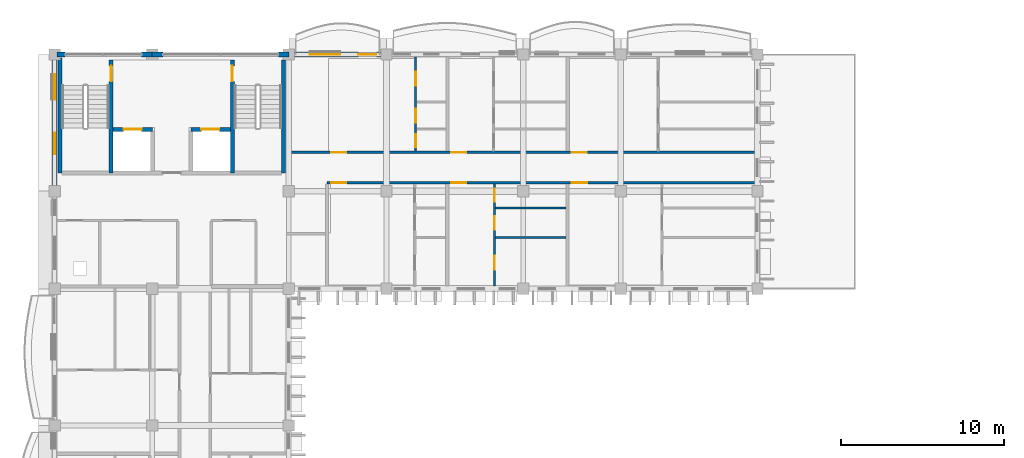
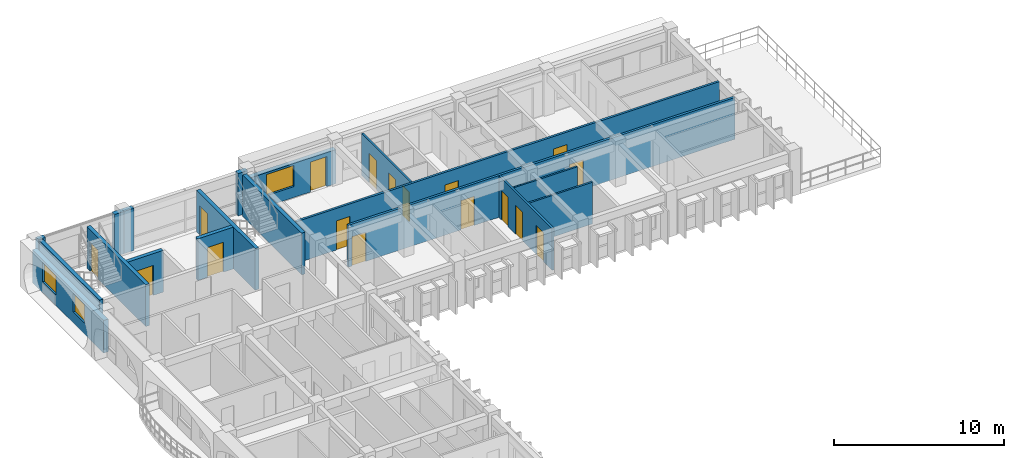
# One storey, part 22 of 66: 18 walls, 17 doors, 3 windows, 20 openings.
"""IFC4 building model written with IfcOpenShell, lengths in metres."""

from ifc_helpers import new_model, si_unit, direction, frame, frame_2d, origin, place, context, subcontext, project, spatial, rectangle, extrude, material, layer, layer_set, type_object, element, fill, save


model = new_model("IFC4")

# Units and contexts
model_context = context("Model", 3, precision=1e-05, world=origin(), true_north=direction((0.0, 1.0)))
body_context = subcontext(model_context, "Body", "Model", "MODEL_VIEW")
ifc_project = project(units=[si_unit("LENGTHUNIT", "METRE"), si_unit("AREAUNIT", "SQUARE_METRE"), si_unit("VOLUMEUNIT", "CUBIC_METRE"), si_unit("PLANEANGLEUNIT", "RADIAN"), si_unit("MASSUNIT", "GRAM", prefix="KILO"), si_unit("THERMODYNAMICTEMPERATUREUNIT", "KELVIN")], contexts=[model_context])

# Site, building, storey
site_placement = place(None, origin())
site = spatial("IfcSite", under=ifc_project, at=site_placement, CompositionType="ELEMENT")
building_placement = place(site_placement, origin())
building = spatial("IfcBuilding", under=site, at=building_placement, Name="Thalorik Housing Commons", CompositionType="ELEMENT")
storey_placement = place(building_placement, frame((0.0, 0.0, 21.300048828125)))
storey = spatial("IfcBuildingStorey", under=building, at=storey_placement, Name="L06", CompositionType="ELEMENT", Elevation=21.300048828125)

# Wall, opening, door
ifc_material_1 = material(Name="Concrete C40/50", Category="concrete")
ifc_layer_1 = layer(ifc_material_1, 0.25, Name="Concrete C40/50", Category="concrete")
ifc_layer_set_1 = layer_set([ifc_layer_1], Name="Concrete C40/50")
wall_type_1 = type_object("IfcWallType", Name="ARC-WAL-CORE-250", PredefinedType="SHEAR", material=ifc_layer_set_1)
wall_1_placement = place(storey_placement, frame((11.875, 123.25, 0.0), z_axis=(0.0, 0.0, 1.0), x_axis=(0.0, -1.0, 0.0)))
wall_1 = element("IfcWall", 1, at=wall_1_placement, inside=storey, type_object=wall_type_1, Name="L06 Core A Stair 1 Shear Wall", PredefinedType="SHEAR", context=body_context, shape_type="SweptSolid", body=[
    extrude(rectangle(XDim=6.925048828125, YDim=0.25, at=frame_2d((3.46240234375, 0.0))), origin(), (0.0, 0.0, 1.0), 3.0),
])
opening_1_placement = place(wall_1_placement, frame((0.35009765625, 0.0, 0.0)))
opening_1 = element("IfcOpeningElement", 2, at=opening_1_placement, cuts=wall_1, Name="Opening ID-0057", PredefinedType="OPENING", context=body_context, shape_type="SweptSolid", body=[
    extrude(rectangle(XDim=0.949951171875, YDim=2.10009765625, at=frame_2d((0.47509765625, 1.050048828125))), frame((0.0, 0.135009765625, 0.0), z_axis=(0.0, -1.0, 0.0), x_axis=(1.0, 0.0, 0.0)), (0.0, 0.0, 1.0), 0.27001953125),
])
ifc_material_2 = material(Name="Steel S355", Category="steel")
door_type_1 = type_object("IfcDoorType", Name="ARC-DR-FD60-950", OperationType="NOTDEFINED", PredefinedType="DOOR", material=ifc_material_2)
door_1_placement = place(opening_1_placement, origin())
door_1 = element("IfcDoor", 3, at=door_1_placement, inside=storey, type_object=door_type_1, Name="L06 Stair ST-A1 Fire Door", OperationType="SINGLE_SWING_RIGHT", OverallHeight=2.10009765625, OverallWidth=0.949951171875, PredefinedType="DOOR", context=body_context, shape_type="SweptSolid", body=[
    extrude(rectangle(XDim=0.949951171875, YDim=2.10009765625, at=frame_2d((0.47509765625, 1.050048828125))), frame((0.0, 0.02490234375, 0.0), z_axis=(0.0, -1.0, 0.0), x_axis=(1.0, 0.0, 0.0)), (0.0, 0.0, 1.0), 0.050048828125),
])
fill(opening_1, door_1)

# Walls
wall_2_placement = place(storey_placement, frame((8.72509765625, 123.39990234375, 0.0), z_axis=(0.0, 0.0, 1.0), x_axis=(0.0, -1.0, 0.0)))
element("IfcWall", 4, at=wall_2_placement, inside=storey, type_object=wall_type_1, Name="L06 Core A Stair 1 Outer Shear Wall", PredefinedType="SHEAR", context=body_context, shape_type="SweptSolid", body=[
    extrude(rectangle(XDim=7.074951171875, YDim=0.25, at=frame_2d((3.53759765625, 0.0))), origin(), (0.0, 0.0, 1.0), 3.0),
])
wall_3_placement = place(storey_placement, frame((22.47509765625, 123.25, 0.0), z_axis=(0.0, 0.0, 1.0), x_axis=(0.0, -1.0, 0.0)))
element("IfcWall", 5, at=wall_3_placement, inside=storey, type_object=wall_type_1, Name="L06 Core A Stair 2 Outer Shear Wall", PredefinedType="SHEAR", context=body_context, shape_type="SweptSolid", body=[
    extrude(rectangle(XDim=6.925048828125, YDim=0.25, at=frame_2d((3.46240234375, 0.0))), origin(), (0.0, 0.0, 1.0), 3.0),
])

# Wall, opening, door
wall_4_placement = place(storey_placement, frame((19.324951171875, 123.25, 0.0), z_axis=(0.0, 0.0, 1.0), x_axis=(0.0, -1.0, 0.0)))
wall_4 = element("IfcWall", 6, at=wall_4_placement, inside=storey, type_object=wall_type_1, Name="L06 Core A Stair 2 Shear Wall", PredefinedType="SHEAR", context=body_context, shape_type="SweptSolid", body=[
    extrude(rectangle(XDim=6.925048828125, YDim=0.25, at=frame_2d((3.46240234375, 0.0))), origin(), (0.0, 0.0, 1.0), 3.0),
])
opening_2_placement = place(wall_4_placement, frame((0.35009765625, 0.0, 0.0)))
opening_2 = element("IfcOpeningElement", 7, at=opening_2_placement, cuts=wall_4, Name="Opening ID-0058", PredefinedType="OPENING", context=body_context, shape_type="SweptSolid", body=[
    extrude(rectangle(XDim=0.949951171875, YDim=2.10009765625, at=frame_2d((0.47509765625, 1.050048828125))), frame((0.0, 0.135009765625, 0.0), z_axis=(0.0, -1.0, 0.0), x_axis=(1.0, 0.0, 0.0)), (0.0, 0.0, 1.0), 0.27001953125),
])
door_2_placement = place(opening_2_placement, origin())
door_2 = element("IfcDoor", 8, at=door_2_placement, inside=storey, type_object=door_type_1, Name="L06 Stair ST-A2 Fire Door", OperationType="SINGLE_SWING_LEFT", OverallHeight=2.10009765625, OverallWidth=0.949951171875, PredefinedType="DOOR", context=body_context, shape_type="SweptSolid", body=[
    extrude(rectangle(XDim=0.949951171875, YDim=2.10009765625, at=frame_2d((0.47509765625, 1.050048828125))), frame((0.0, 0.02490234375, 0.0), z_axis=(0.0, -1.0, 0.0), x_axis=(1.0, 0.0, 0.0)), (0.0, 0.0, 1.0), 0.050048828125),
])
fill(opening_2, door_2)

wall_5_placement = place(storey_placement, frame((12.0, 119.0, 0.0), z_axis=(0.0, 0.0, 1.0), x_axis=(1.0, 0.0, 0.0)))
wall_5 = element("IfcWall", 9, at=wall_5_placement, inside=storey, type_object=wall_type_1, Name="L06 Lift LF-A1 Front Shaft Wall", PredefinedType="SHEAR", context=body_context, shape_type="SweptSolid", body=[
    extrude(rectangle(XDim=2.425048828125, YDim=0.25, at=frame_2d((1.21240234375, 0.0))), origin(), (0.0, 0.0, 1.0), 3.0),
])
opening_3_placement = place(wall_5_placement, frame((0.64990234375, 0.0, 0.0)))
opening_3 = element("IfcOpeningElement", 10, at=opening_3_placement, cuts=wall_5, Name="Opening LD-LF-A1-L06", PredefinedType="OPENING", context=body_context, shape_type="SweptSolid", body=[
    extrude(rectangle(XDim=1.10009765625, YDim=2.14990234375, at=frame_2d((0.550048828125, 1.074951171875))), frame((0.0, 0.135009765625, 0.0), z_axis=(0.0, -1.0, 0.0), x_axis=(1.0, 0.0, 0.0)), (0.0, 0.0, 1.0), 0.27001953125),
])
door_type_2 = type_object("IfcDoorType", Name="ARC-DR-LIFT-1100", OperationType="NOTDEFINED", PredefinedType="DOOR", material=ifc_material_2)
door_3_placement = place(opening_3_placement, origin())
door_3 = element("IfcDoor", 11, at=door_3_placement, inside=storey, type_object=door_type_2, Name="L06 Lift LF-A1 Landing Door", OperationType="SLIDING_TO_LEFT", OverallHeight=2.14990234375, OverallWidth=1.10009765625, PredefinedType="DOOR", context=body_context, shape_type="SweptSolid", body=[
    extrude(rectangle(XDim=1.10009765625, YDim=2.14990234375, at=frame_2d((0.550048828125, 1.074951171875))), frame((0.0, 0.02490234375, 0.0), z_axis=(0.0, -1.0, 0.0), x_axis=(1.0, 0.0, 0.0)), (0.0, 0.0, 1.0), 0.050048828125),
])
fill(opening_3, door_3)

wall_6_placement = place(storey_placement, frame((16.77490234375, 119.0, 0.0), z_axis=(0.0, 0.0, 1.0), x_axis=(1.0, 0.0, 0.0)))
wall_6 = element("IfcWall", 12, at=wall_6_placement, inside=storey, type_object=wall_type_1, Name="L06 Lift LP-A2 Front Shaft Wall", PredefinedType="SHEAR", context=body_context, shape_type="SweptSolid", body=[
    extrude(rectangle(XDim=2.425048828125, YDim=0.25, at=frame_2d((1.21240234375, 0.0))), origin(), (0.0, 0.0, 1.0), 3.0),
])
opening_4_placement = place(wall_6_placement, frame((0.64990234375, 0.0, 0.0)))
opening_4 = element("IfcOpeningElement", 13, at=opening_4_placement, cuts=wall_6, Name="Opening LD-LP-A2-L06", PredefinedType="OPENING", context=body_context, shape_type="SweptSolid", body=[
    extrude(rectangle(XDim=1.10009765625, YDim=2.14990234375, at=frame_2d((0.550048828125, 1.074951171875))), frame((0.0, 0.135009765625, 0.0), z_axis=(0.0, -1.0, 0.0), x_axis=(1.0, 0.0, 0.0)), (0.0, 0.0, 1.0), 0.27001953125),
])
door_4_placement = place(opening_4_placement, origin())
door_4 = element("IfcDoor", 14, at=door_4_placement, inside=storey, type_object=door_type_2, Name="L06 Lift LP-A2 Landing Door", OperationType="SLIDING_TO_LEFT", OverallHeight=2.14990234375, OverallWidth=1.10009765625, PredefinedType="DOOR", context=body_context, shape_type="SweptSolid", body=[
    extrude(rectangle(XDim=1.10009765625, YDim=2.14990234375, at=frame_2d((0.550048828125, 1.074951171875))), frame((0.0, 0.02490234375, 0.0), z_axis=(0.0, -1.0, 0.0), x_axis=(1.0, 0.0, 0.0)), (0.0, 0.0, 1.0), 0.050048828125),
])
fill(opening_4, door_4)

# Wall, openings, doors
ifc_material_3 = material(Name="Masonry fire-rated corridor wall", Category="masonry")
ifc_layer_2 = layer(ifc_material_3, 0.14990234375, Name="Masonry fire-rated corridor wall", Category="masonry")
ifc_layer_set_2 = layer_set([ifc_layer_2], Name="Masonry fire-rated corridor wall")
wall_type_2 = type_object("IfcWallType", Name="ARC-WAL-CORR-150", PredefinedType="PARTITIONING", material=ifc_layer_set_2)
wall_7_placement = place(storey_placement, frame((22.659912109375, 117.580078125, 0.0), z_axis=(0.0, 0.0, 1.0), x_axis=(1.0, 0.0, 0.0)))
wall_7 = element("IfcWall", 15, at=wall_7_placement, inside=storey, type_object=wall_type_2, Name="L06 Block A N Corridor Wall 2", PredefinedType="PARTITIONING", context=body_context, shape_type="SweptSolid", body=[
    extrude(rectangle(XDim=28.778076171875, YDim=0.14990234375, at=frame_2d((14.38916015625, 0.0))), origin(), (0.0, 0.0, 1.0), 3.0),
])
opening_5_placement = place(wall_7_placement, frame((2.739990234375, 0.0, 0.0)))
opening_5 = element("IfcOpeningElement", 16, at=opening_5_placement, cuts=wall_7, Name="Opening ID-0666", PredefinedType="OPENING", context=body_context, shape_type="SweptSolid", body=[
    extrude(rectangle(XDim=0.919921875, YDim=2.10009765625, at=frame_2d((0.4599609375, 1.050048828125))), frame((0.0, 0.0849609375, 0.0), z_axis=(0.0, -1.0, 0.0), x_axis=(1.0, 0.0, 0.0)), (0.0, 0.0, 1.0), 0.169921875),
])
opening_6_placement = place(wall_7_placement, frame((10.1298828125, 0.0, 0.0)))
opening_6 = element("IfcOpeningElement", 17, at=opening_6_placement, cuts=wall_7, Name="Opening ID-0667", PredefinedType="OPENING", context=body_context, shape_type="SweptSolid", body=[
    extrude(rectangle(XDim=0.919921875, YDim=2.10009765625, at=frame_2d((0.4599609375, 1.050048828125))), frame((0.0, 0.0849609375, 0.0), z_axis=(0.0, -1.0, 0.0), x_axis=(1.0, 0.0, 0.0)), (0.0, 0.0, 1.0), 0.169921875),
])
opening_7_placement = place(wall_7_placement, frame((17.52001953125, 0.0, 0.0)))
opening_7 = element("IfcOpeningElement", 18, at=opening_7_placement, cuts=wall_7, Name="Opening ID-0668", PredefinedType="OPENING", context=body_context, shape_type="SweptSolid", body=[
    extrude(rectangle(XDim=0.919921875, YDim=2.10009765625, at=frame_2d((0.4599609375, 1.050048828125))), frame((0.0, 0.0849609375, 0.0), z_axis=(0.0, -1.0, 0.0), x_axis=(1.0, 0.0, 0.0)), (0.0, 0.0, 1.0), 0.169921875),
])
ifc_material_4 = material(Name="Solid core hardwood timber", Category="wood")
door_type_3 = type_object("IfcDoorType", Name="ARC-DR-FD30-920", OperationType="NOTDEFINED", PredefinedType="DOOR", material=ifc_material_4)
door_5_placement = place(opening_5_placement, origin())
door_5 = element("IfcDoor", 19, at=door_5_placement, inside=storey, type_object=door_type_3, Name="L06 Flat AN-1B Entrance Door", OperationType="SINGLE_SWING_LEFT", OverallHeight=2.10009765625, OverallWidth=0.919921875, PredefinedType="DOOR", context=body_context, shape_type="SweptSolid", body=[
    extrude(rectangle(XDim=0.919921875, YDim=2.10009765625, at=frame_2d((0.4599609375, 1.050048828125))), frame((0.0, 0.02490234375, 0.0), z_axis=(0.0, -1.0, 0.0), x_axis=(1.0, 0.0, 0.0)), (0.0, 0.0, 1.0), 0.050048828125),
])
fill(opening_5, door_5)
door_6_placement = place(opening_6_placement, origin())
door_6 = element("IfcDoor", 20, at=door_6_placement, inside=storey, type_object=door_type_3, Name="L06 Flat AN-2B Entrance Door", OperationType="SINGLE_SWING_RIGHT", OverallHeight=2.10009765625, OverallWidth=0.919921875, PredefinedType="DOOR", context=body_context, shape_type="SweptSolid", body=[
    extrude(rectangle(XDim=0.919921875, YDim=2.10009765625, at=frame_2d((0.4599609375, 1.050048828125))), frame((0.0, 0.02490234375, 0.0), z_axis=(0.0, -1.0, 0.0), x_axis=(1.0, 0.0, 0.0)), (0.0, 0.0, 1.0), 0.050048828125),
])
fill(opening_6, door_6)
door_7_placement = place(opening_7_placement, origin())
door_7 = element("IfcDoor", 21, at=door_7_placement, inside=storey, type_object=door_type_3, Name="L06 Flat AN-3B Entrance Door", OperationType="SINGLE_SWING_LEFT", OverallHeight=2.10009765625, OverallWidth=0.919921875, PredefinedType="DOOR", context=body_context, shape_type="SweptSolid", body=[
    extrude(rectangle(XDim=0.919921875, YDim=2.10009765625, at=frame_2d((0.4599609375, 1.050048828125))), frame((0.0, 0.02490234375, 0.0), z_axis=(0.0, -1.0, 0.0), x_axis=(1.0, 0.0, 0.0)), (0.0, 0.0, 1.0), 0.050048828125),
])
fill(opening_7, door_7)

ifc_layer_3 = layer(ifc_material_3, 0.1650390625, Name="Masonry fire-rated corridor wall", Category="masonry")
ifc_layer_set_3 = layer_set([ifc_layer_3], Name="Masonry fire-rated corridor wall")
wall_type_3 = type_object("IfcWallType", Name="ARC-WAL-CORR-165", PredefinedType="PARTITIONING", material=ifc_layer_set_3)
wall_8_placement = place(storey_placement, frame((25.14990234375, 115.719970703125, 0.0), z_axis=(0.0, 0.0, 1.0), x_axis=(1.0, 0.0, 0.0)))
wall_8 = element("IfcWall", 22, at=wall_8_placement, inside=storey, type_object=wall_type_3, Name="L06 Block A N Corridor Wall 1", PredefinedType="PARTITIONING", context=body_context, shape_type="SweptSolid", body=[
    extrude(rectangle(XDim=26.2880859375, YDim=0.1650390625, at=frame_2d((13.14404296875, 0.0))), origin(), (0.0, 0.0, 1.0), 3.0),
])
opening_8_placement = place(wall_8_placement, frame((0.25, 0.0, 0.0)))
opening_8 = element("IfcOpeningElement", 23, at=opening_8_placement, cuts=wall_8, Name="Opening ID-0663", PredefinedType="OPENING", context=body_context, shape_type="SweptSolid", body=[
    extrude(rectangle(XDim=0.919921875, YDim=2.10009765625, at=frame_2d((0.4599609375, 1.050048828125))), frame((0.0, 0.092529296875, 0.0), z_axis=(0.0, -1.0, 0.0), x_axis=(1.0, 0.0, 0.0)), (0.0, 0.0, 1.0), 0.18505859375),
])
opening_9_placement = place(wall_8_placement, frame((7.639892578125, 0.0, 0.0)))
opening_9 = element("IfcOpeningElement", 24, at=opening_9_placement, cuts=wall_8, Name="Opening ID-0664", PredefinedType="OPENING", context=body_context, shape_type="SweptSolid", body=[
    extrude(rectangle(XDim=0.919921875, YDim=2.10009765625, at=frame_2d((0.4599609375, 1.050048828125))), frame((0.0, 0.092529296875, 0.0), z_axis=(0.0, -1.0, 0.0), x_axis=(1.0, 0.0, 0.0)), (0.0, 0.0, 1.0), 0.18505859375),
])
opening_10_placement = place(wall_8_placement, frame((15.030029296875, 0.0, 0.0)))
opening_10 = element("IfcOpeningElement", 25, at=opening_10_placement, cuts=wall_8, Name="Opening ID-0665", PredefinedType="OPENING", context=body_context, shape_type="SweptSolid", body=[
    extrude(rectangle(XDim=0.9599609375, YDim=2.1201171875, at=frame_2d((0.47998046875, 1.06005859375))), frame((0.0, 0.092529296875, 0.0), z_axis=(0.0, -1.0, 0.0), x_axis=(1.0, 0.0, 0.0)), (0.0, 0.0, 1.0), 0.18505859375),
])
door_8_placement = place(opening_8_placement, origin())
door_8 = element("IfcDoor", 26, at=door_8_placement, inside=storey, type_object=door_type_3, Name="L06 Flat AN-1A Entrance Door", OperationType="SINGLE_SWING_RIGHT", OverallHeight=2.10009765625, OverallWidth=0.919921875, PredefinedType="DOOR", context=body_context, shape_type="SweptSolid", body=[
    extrude(rectangle(XDim=0.919921875, YDim=2.10009765625, at=frame_2d((0.4599609375, 1.050048828125))), frame((0.0, 0.02490234375, 0.0), z_axis=(0.0, -1.0, 0.0), x_axis=(1.0, 0.0, 0.0)), (0.0, 0.0, 1.0), 0.050048828125),
])
fill(opening_8, door_8)
door_9_placement = place(opening_9_placement, origin())
door_9 = element("IfcDoor", 27, at=door_9_placement, inside=storey, type_object=door_type_3, Name="L06 Flat AN-2A Entrance Door", OperationType="SINGLE_SWING_LEFT", OverallHeight=2.10009765625, OverallWidth=0.919921875, PredefinedType="DOOR", context=body_context, shape_type="SweptSolid", body=[
    extrude(rectangle(XDim=0.919921875, YDim=2.10009765625, at=frame_2d((0.4599609375, 1.050048828125))), frame((0.0, 0.02490234375, 0.0), z_axis=(0.0, -1.0, 0.0), x_axis=(1.0, 0.0, 0.0)), (0.0, 0.0, 1.0), 0.050048828125),
])
fill(opening_9, door_9)
door_type_4 = type_object("IfcDoorType", Name="ARC-DR-FD30-960", OperationType="NOTDEFINED", PredefinedType="DOOR", material=ifc_material_4)
door_10_placement = place(opening_10_placement, origin())
door_10 = element("IfcDoor", 28, at=door_10_placement, inside=storey, type_object=door_type_4, Name="L06 Flat AN-3A Entrance Door", OperationType="SINGLE_SWING_RIGHT", OverallHeight=2.1201171875, OverallWidth=0.9599609375, PredefinedType="DOOR", context=body_context, shape_type="SweptSolid", body=[
    extrude(rectangle(XDim=0.9599609375, YDim=2.1201171875, at=frame_2d((0.47998046875, 1.06005859375))), frame((0.0, 0.02490234375, 0.0), z_axis=(0.0, -1.0, 0.0), x_axis=(1.0, 0.0, 0.0)), (0.0, 0.0, 1.0), 0.050048828125),
])
fill(opening_10, door_10)

# Wall, openings, door, window
ifc_material_5 = material(Name="White precast concrete C40/50", Category="concrete")
ifc_layer_4 = layer(ifc_material_5, 0.320068359375, Name="White precast concrete C40/50", Category="concrete")
ifc_layer_set_4 = layer_set([ifc_layer_4], Name="White precast concrete C40/50")
wall_type_4 = type_object("IfcWallType", Name="ARC-WAL-EXT-320", PredefinedType="STANDARD", material=ifc_layer_set_4)
wall_9_placement = place(storey_placement, frame((28.800048828125, 123.60009765625, 0.0), z_axis=(0.0, 0.0, 1.0), x_axis=(-1.0, 0.0, 0.0)))
wall_9 = element("IfcWall", 29, at=wall_9_placement, inside=storey, type_object=wall_type_4, Name="L06 Exterior Wall WAL-EXT-L06-A-0178", PredefinedType="STANDARD", context=body_context, shape_type="SweptSolid", body=[
    extrude(rectangle(XDim=6.0, YDim=0.320068359375, at=frame_2d((3.0, 0.0))), origin(), (0.0, 0.0, 1.0), 2.445068359375),
])
opening_11_placement = place(wall_9_placement, frame((0.6201171875, 0.0, 0.0)))
opening_11 = element("IfcOpeningElement", 30, at=opening_11_placement, cuts=wall_9, Name="Opening ED-0055", PredefinedType="OPENING", context=body_context, shape_type="SweptSolid", body=[
    extrude(rectangle(XDim=1.10009765625, YDim=2.14990234375, at=frame_2d((0.550048828125, 1.074951171875))), frame((0.0, 0.169921875, 0.0), z_axis=(0.0, -1.0, 0.0), x_axis=(1.0, 0.0, 0.0)), (0.0, 0.0, 1.0), 0.340087890625),
])
opening_12_placement = place(wall_9_placement, frame((2.85009765625, 0.0, 0.780029296875)))
opening_12 = element("IfcOpeningElement", 31, at=opening_12_placement, cuts=wall_9, Name="Opening W-59", PredefinedType="OPENING", context=body_context, shape_type="SweptSolid", body=[
    extrude(rectangle(XDim=1.8798828125, YDim=1.52001953125, at=frame_2d((0.93994140625, 0.760009765625))), frame((0.0, 0.169921875, 0.0), z_axis=(0.0, -1.0, 0.0), x_axis=(1.0, 0.0, 0.0)), (0.0, 0.0, 1.0), 0.340087890625),
])
ifc_material_6 = material(Name="Anodised aluminium and laminated safety glass", Category="aluminium")
door_type_5 = type_object("IfcDoorType", Name="ARC-DR-BAL-1100", OperationType="NOTDEFINED", PredefinedType="DOOR", material=ifc_material_6)
door_11_placement = place(opening_11_placement, frame((1.10009765625, 0.0, 0.0), z_axis=(0.0, 0.0, 1.0), x_axis=(-1.0, 0.0, 0.0)))
door_11 = element("IfcDoor", 32, at=door_11_placement, inside=storey, type_object=door_type_5, Name="L06 Block A Balcony Glazed Door", OperationType="SINGLE_SWING_RIGHT", OverallHeight=2.14990234375, OverallWidth=1.10009765625, PredefinedType="DOOR", context=body_context, shape_type="SweptSolid", body=[
    extrude(rectangle(XDim=1.10009765625, YDim=2.14990234375, at=frame_2d((0.550048828125, 1.074951171875))), frame((0.0, 0.02490234375, 0.0), z_axis=(0.0, -1.0, 0.0), x_axis=(1.0, 0.0, 0.0)), (0.0, 0.0, 1.0), 0.050048828125),
])
fill(opening_11, door_11)
ifc_material_7 = material(Name="Anodised aluminium and solar-control low-E glass", Category="aluminium")
window_type_1 = type_object("IfcWindowType", Name="ARC-WIN-59", PartitioningType="DOUBLE_PANEL_VERTICAL", PredefinedType="WINDOW", material=ifc_material_7)
window_1_placement = place(opening_12_placement, origin())
window_1 = element("IfcWindow", 33, at=window_1_placement, inside=storey, type_object=window_type_1, Name="L06 Facade Window 321", OverallHeight=1.52001953125, OverallWidth=1.8798828125, PartitioningType="DOUBLE_PANEL_VERTICAL", PredefinedType="WINDOW", context=body_context, shape_type="SweptSolid", body=[
    extrude(rectangle(XDim=1.8798828125, YDim=1.52001953125, at=frame_2d((0.93994140625, 0.760009765625))), frame((0.0, 0.030029296875, 0.0), z_axis=(0.0, -1.0, 0.0), x_axis=(1.0, 0.0, 0.0)), (0.0, 0.0, 1.0), 0.06005859375),
])
fill(opening_12, window_1)

# Walls
for number, where, z_axis, x_axis, name in (
    (34, (22.800048828125, 123.60009765625, 0.0), (0.0, 0.0, 1.0), (-1.0, 0.0, 0.0), "L06 Exterior Wall WAL-PIERL-L06-A-0179"),
    (35, (15.050048828125, 123.60009765625, 0.0), (0.0, 0.0, 1.0), (-1.0, 0.0, 0.0), "L06 Exterior Wall WAL-PIERR-L06-A-0179"),
):
    element("IfcWall", number, at=place(storey_placement, frame(where, z_axis=z_axis, x_axis=x_axis)), inside=storey, type_object=wall_type_4, Name=name, PredefinedType="STANDARD", context=body_context, shape_type="SweptSolid", body=[
        extrude(rectangle(XDim=0.650146484375, YDim=0.320068359375, at=frame_2d((0.3251953125, 0.0))), origin(), (0.0, 0.0, 1.0), 3.0400390625),
    ])
wall_10_placement = place(storey_placement, frame((14.39990234375, 123.60009765625, 0.0), z_axis=(0.0, 0.0, 1.0), x_axis=(-1.0, 0.0, 0.0)))
element("IfcWall", 36, at=wall_10_placement, inside=storey, type_object=wall_type_4, Name="L06 Exterior Wall WAL-PIERL-L06-A-0180", PredefinedType="STANDARD", context=body_context, shape_type="SweptSolid", body=[
    extrude(rectangle(XDim=0.64990234375, YDim=0.320068359375, at=frame_2d((0.324951171875, 0.0))), origin(), (0.0, 0.0, 1.0), 3.0400390625),
])
wall_11_placement = place(storey_placement, frame((9.050048828125, 123.60009765625, 0.0), z_axis=(0.0, 0.0, 1.0), x_axis=(-1.0, 0.0, 0.0)))
element("IfcWall", 37, at=wall_11_placement, inside=storey, type_object=wall_type_4, Name="L06 Exterior Wall WAL-PIERR-L06-A-0180", PredefinedType="STANDARD", context=body_context, shape_type="SweptSolid", body=[
    extrude(rectangle(XDim=0.488037109375, YDim=0.320068359375, at=frame_2d((0.244140625, 0.0))), origin(), (0.0, 0.0, 1.0), 3.0400390625),
])

# Wall, openings, windows
wall_12_placement = place(storey_placement, frame((8.39990234375, 123.60009765625, 0.0), z_axis=(0.0, 0.0, 1.0), x_axis=(0.0, -1.0, 0.0)))
wall_12 = element("IfcWall", 38, at=wall_12_placement, inside=storey, type_object=wall_type_4, Name="L06 Exterior Wall WAL-EXT-L06-A-0181", PredefinedType="STANDARD", context=body_context, shape_type="SweptSolid", body=[
    extrude(rectangle(XDim=8.400146484375, YDim=0.320068359375, at=frame_2d((4.2001953125, 0.0))), origin(), (0.0, 0.0, 1.0), 2.344970703125),
])
opening_13_placement = place(wall_12_placement, frame((1.22119140625, 0.0, 0.780029296875)))
opening_13 = element("IfcOpeningElement", 39, at=opening_13_placement, cuts=wall_12, Name="Opening W-12", PredefinedType="OPENING", context=body_context, shape_type="SweptSolid", body=[
    extrude(rectangle(XDim=1.550048828125, YDim=1.39990234375, at=frame_2d((0.77490234375, 0.699951171875))), frame((0.0, 0.169921875, 0.0), z_axis=(0.0, -1.0, 0.0), x_axis=(1.0, 0.0, 0.0)), (0.0, 0.0, 1.0), 0.340087890625),
])
opening_14_placement = place(wall_12_placement, frame((4.80859375, 0.0, 0.780029296875)))
opening_14 = element("IfcOpeningElement", 40, at=opening_14_placement, cuts=wall_12, Name="Opening W-48", PredefinedType="OPENING", context=body_context, shape_type="SweptSolid", body=[
    extrude(rectangle(XDim=1.320068359375, YDim=1.35009765625, at=frame_2d((0.66015625, 0.675048828125))), frame((0.0, 0.169921875, 0.0), z_axis=(0.0, -1.0, 0.0), x_axis=(1.0, 0.0, 0.0)), (0.0, 0.0, 1.0), 0.340087890625),
])
window_type_2 = type_object("IfcWindowType", Name="ARC-WIN-12", PartitioningType="SINGLE_PANEL", PredefinedType="WINDOW", material=ifc_material_7)
window_2_placement = place(opening_13_placement, origin())
window_2 = element("IfcWindow", 41, at=window_2_placement, inside=storey, type_object=window_type_2, Name="L06 Facade Window 322", OverallHeight=1.39990234375, OverallWidth=1.550048828125, PartitioningType="SINGLE_PANEL", PredefinedType="WINDOW", context=body_context, shape_type="SweptSolid", body=[
    extrude(rectangle(XDim=1.550048828125, YDim=1.39990234375, at=frame_2d((0.77490234375, 0.699951171875))), frame((0.0, 0.030029296875, 0.0), z_axis=(0.0, -1.0, 0.0), x_axis=(1.0, 0.0, 0.0)), (0.0, 0.0, 1.0), 0.06005859375),
])
fill(opening_13, window_2)
window_type_3 = type_object("IfcWindowType", Name="ARC-WIN-48", PartitioningType="SINGLE_PANEL", PredefinedType="WINDOW", material=ifc_material_7)
window_3_placement = place(opening_14_placement, origin())
window_3 = element("IfcWindow", 42, at=window_3_placement, inside=storey, type_object=window_type_3, Name="L06 Facade Window 323", OverallHeight=1.35009765625, OverallWidth=1.320068359375, PartitioningType="SINGLE_PANEL", PredefinedType="WINDOW", context=body_context, shape_type="SweptSolid", body=[
    extrude(rectangle(XDim=1.320068359375, YDim=1.35009765625, at=frame_2d((0.66015625, 0.675048828125))), frame((0.0, 0.030029296875, 0.0), z_axis=(0.0, -1.0, 0.0), x_axis=(1.0, 0.0, 0.0)), (0.0, 0.0, 1.0), 0.06005859375),
])
fill(opening_14, window_3)

# Wall
ifc_material_8 = material(Name="Gypsum moisture-resistant partition", Category="masonry")
ifc_layer_5 = layer(ifc_material_8, 0.114990234375, Name="Gypsum moisture-resistant partition", Category="masonry")
ifc_layer_set_5 = layer_set([ifc_layer_5], Name="Gypsum moisture-resistant partition")
wall_type_5 = type_object("IfcWallType", Name="ARC-WAL-PART-115", PredefinedType="PARTITIONING", material=ifc_layer_set_5)
wall_13_placement = place(storey_placement, frame((35.507080078125, 114.169677734375, 0.0), z_axis=(0.0, 0.0, 1.0), x_axis=(1.0, 0.0, 0.0)))
element("IfcWall", 43, at=wall_13_placement, inside=storey, type_object=wall_type_5, Name="L06 Unit 2 Wet Wall", PredefinedType="PARTITIONING", context=body_context, shape_type="SweptSolid", body=[
    extrude(rectangle(XDim=4.32080078125, YDim=0.114990234375, at=frame_2d((2.160400390625, 0.0))), origin(), (0.0, 0.0, 1.0), 3.0),
])

# Wall, openings, doors
ifc_material_9 = material(Name="Gypsum acoustic stud partition", Category="masonry")
ifc_layer_6 = layer(ifc_material_9, 0.125, Name="Gypsum acoustic stud partition", Category="masonry")
ifc_layer_set_6 = layer_set([ifc_layer_6], Name="Gypsum acoustic stud partition")
wall_type_6 = type_object("IfcWallType", Name="ARC-WAL-PART-125", PredefinedType="PARTITIONING", material=ifc_layer_set_6)
wall_14_placement = place(storey_placement, frame((30.59716796875, 117.656982421875, 0.0), z_axis=(0.0, 0.0, 1.0), x_axis=(0.0, 1.0, 0.0)))
wall_14 = element("IfcWall", 44, at=wall_14_placement, inside=storey, type_object=wall_type_6, Name="L06 Unit 1B Spine Partition", PredefinedType="PARTITIONING", context=body_context, shape_type="SweptSolid", body=[
    extrude(rectangle(XDim=5.781005859375, YDim=0.125, at=frame_2d((2.890625, 0.0))), origin(), (0.0, 0.0, 1.0), 3.0),
])
opening_15_placement = place(wall_14_placement, frame((0.23828125, 0.0, 0.0)))
opening_15 = element("IfcOpeningElement", 45, at=opening_15_placement, cuts=wall_14, Name="Opening ID-0648", PredefinedType="OPENING", context=body_context, shape_type="SweptSolid", body=[
    extrude(rectangle(XDim=0.800048828125, YDim=2.10009765625, at=frame_2d((0.39990234375, 1.050048828125))), frame((0.0, 0.072509765625, 0.0), z_axis=(0.0, -1.0, 0.0), x_axis=(1.0, 0.0, 0.0)), (0.0, 0.0, 1.0), 0.14501953125),
])
opening_16_placement = place(wall_14_placement, frame((1.7626953125, 0.0, 0.0)))
opening_16 = element("IfcOpeningElement", 46, at=opening_16_placement, cuts=wall_14, Name="Opening ID-0649", PredefinedType="OPENING", context=body_context, shape_type="SweptSolid", body=[
    extrude(rectangle(XDim=0.85009765625, YDim=2.10009765625, at=frame_2d((0.425048828125, 1.050048828125))), frame((0.0, 0.072509765625, 0.0), z_axis=(0.0, -1.0, 0.0), x_axis=(1.0, 0.0, 0.0)), (0.0, 0.0, 1.0), 0.14501953125),
])
opening_17_placement = place(wall_14_placement, frame((4.027587890625, 0.0, 0.0)))
opening_17 = element("IfcOpeningElement", 47, at=opening_17_placement, cuts=wall_14, Name="Opening ID-0650", PredefinedType="OPENING", context=body_context, shape_type="SweptSolid", body=[
    extrude(rectangle(XDim=0.85009765625, YDim=2.10009765625, at=frame_2d((0.425048828125, 1.050048828125))), frame((0.0, 0.072509765625, 0.0), z_axis=(0.0, -1.0, 0.0), x_axis=(1.0, 0.0, 0.0)), (0.0, 0.0, 1.0), 0.14501953125),
])
ifc_material_10 = material(Name="Moisture-resistant timber", Category="wood")
door_type_6 = type_object("IfcDoorType", Name="ARC-DR-INT-800", OperationType="NOTDEFINED", PredefinedType="DOOR", material=ifc_material_10)
door_12_placement = place(opening_15_placement, origin())
door_12 = element("IfcDoor", 48, at=door_12_placement, inside=storey, type_object=door_type_6, Name="L06 Flat Bathroom Door", OperationType="SINGLE_SWING_LEFT", OverallHeight=2.10009765625, OverallWidth=0.800048828125, PredefinedType="DOOR", context=body_context, shape_type="SweptSolid", body=[
    extrude(rectangle(XDim=0.800048828125, YDim=2.10009765625, at=frame_2d((0.39990234375, 1.050048828125))), frame((0.0, 0.02490234375, 0.0), z_axis=(0.0, -1.0, 0.0), x_axis=(1.0, 0.0, 0.0)), (0.0, 0.0, 1.0), 0.050048828125),
])
fill(opening_15, door_12)
ifc_material_11 = material(Name="Engineered oak timber", Category="wood")
door_type_7 = type_object("IfcDoorType", Name="ARC-DR-INT-850", OperationType="NOTDEFINED", PredefinedType="DOOR", material=ifc_material_11)
door_13_placement = place(opening_16_placement, origin())
door_13 = element("IfcDoor", 49, at=door_13_placement, inside=storey, type_object=door_type_7, Name="L06 Galley Kitchen Door", OperationType="SINGLE_SWING_RIGHT", OverallHeight=2.10009765625, OverallWidth=0.85009765625, PredefinedType="DOOR", context=body_context, shape_type="SweptSolid", body=[
    extrude(rectangle(XDim=0.85009765625, YDim=2.10009765625, at=frame_2d((0.425048828125, 1.050048828125))), frame((0.0, 0.02490234375, 0.0), z_axis=(0.0, -1.0, 0.0), x_axis=(1.0, 0.0, 0.0)), (0.0, 0.0, 1.0), 0.050048828125),
])
fill(opening_16, door_13)
door_14_placement = place(opening_17_placement, origin())
door_14 = element("IfcDoor", 50, at=door_14_placement, inside=storey, type_object=door_type_7, Name="L06 Double Bedroom Door", OperationType="SINGLE_SWING_LEFT", OverallHeight=2.10009765625, OverallWidth=0.85009765625, PredefinedType="DOOR", context=body_context, shape_type="SweptSolid", body=[
    extrude(rectangle(XDim=0.85009765625, YDim=2.10009765625, at=frame_2d((0.425048828125, 1.050048828125))), frame((0.0, 0.02490234375, 0.0), z_axis=(0.0, -1.0, 0.0), x_axis=(1.0, 0.0, 0.0)), (0.0, 0.0, 1.0), 0.050048828125),
])
fill(opening_17, door_14)

# Wall
wall_15_placement = place(storey_placement, frame((35.507080078125, 112.36083984375, 0.0), z_axis=(0.0, 0.0, 1.0), x_axis=(1.0, 0.0, 0.0)))
element("IfcWall", 51, at=wall_15_placement, inside=storey, type_object=wall_type_6, Name="L06 Unit 2 Bedroom Partition", PredefinedType="PARTITIONING", context=body_context, shape_type="SweptSolid", body=[
    extrude(rectangle(XDim=4.32080078125, YDim=0.125, at=frame_2d((2.160400390625, 0.0))), origin(), (0.0, 0.0, 1.0), 3.0),
])

# Wall, openings, doors
ifc_material_12 = material(Name="Ceramic masonry partition wall", Category="masonry")
ifc_layer_7 = layer(ifc_material_12, 0.139892578125, Name="Ceramic masonry partition wall", Category="masonry")
ifc_layer_set_7 = layer_set([ifc_layer_7], Name="Ceramic masonry partition wall")
wall_type_7 = type_object("IfcWallType", Name="ARC-WAL-PART-140", PredefinedType="PARTITIONING", material=ifc_layer_set_7)
wall_16_placement = place(storey_placement, frame((35.43505859375, 109.362060546875, 0.0), z_axis=(0.0, 0.0, 1.0), x_axis=(0.0, 1.0, 0.0)))
wall_16 = element("IfcWall", 52, at=wall_16_placement, inside=storey, type_object=wall_type_7, Name="L06 Unit 2 Spine Partition", PredefinedType="PARTITIONING", context=body_context, shape_type="SweptSolid", body=[
    extrude(rectangle(XDim=6.2734375, YDim=0.139892578125, at=frame_2d((3.13671875, 0.0))), origin(), (0.0, 0.0, 1.0), 3.0),
])
opening_18_placement = place(wall_16_placement, frame((1.0234375, 0.0, 0.0)))
opening_18 = element("IfcOpeningElement", 53, at=opening_18_placement, cuts=wall_16, Name="Opening ID-0651", PredefinedType="OPENING", context=body_context, shape_type="SweptSolid", body=[
    extrude(rectangle(XDim=0.85009765625, YDim=2.10009765625, at=frame_2d((0.425048828125, 1.050048828125))), frame((0.0, 0.080078125, 0.0), z_axis=(0.0, -1.0, 0.0), x_axis=(1.0, 0.0, 0.0)), (0.0, 0.0, 1.0), 0.159912109375),
])
opening_19_placement = place(wall_16_placement, frame((3.478271484375, 0.0, 0.0)))
opening_19 = element("IfcOpeningElement", 54, at=opening_19_placement, cuts=wall_16, Name="Opening ID-0652", PredefinedType="OPENING", context=body_context, shape_type="SweptSolid", body=[
    extrude(rectangle(XDim=0.820068359375, YDim=2.080078125, at=frame_2d((0.41015625, 1.0400390625))), frame((0.0, 0.080078125, 0.0), z_axis=(0.0, -1.0, 0.0), x_axis=(1.0, 0.0, 0.0)), (0.0, 0.0, 1.0), 0.159912109375),
])
opening_20_placement = place(wall_16_placement, frame((5.182861328125, 0.0, 0.0)))
opening_20 = element("IfcOpeningElement", 55, at=opening_20_placement, cuts=wall_16, Name="Opening ID-0653", PredefinedType="OPENING", context=body_context, shape_type="SweptSolid", body=[
    extrude(rectangle(XDim=0.800048828125, YDim=2.10009765625, at=frame_2d((0.39990234375, 1.050048828125))), frame((0.0, 0.080078125, 0.0), z_axis=(0.0, -1.0, 0.0), x_axis=(1.0, 0.0, 0.0)), (0.0, 0.0, 1.0), 0.159912109375),
])
door_15_placement = place(opening_20_placement, origin())
door_15 = element("IfcDoor", 56, at=door_15_placement, inside=storey, type_object=door_type_6, Name="L06 Flat Bathroom Door", OperationType="SINGLE_SWING_RIGHT", OverallHeight=2.10009765625, OverallWidth=0.800048828125, PredefinedType="DOOR", context=body_context, shape_type="SweptSolid", body=[
    extrude(rectangle(XDim=0.800048828125, YDim=2.10009765625, at=frame_2d((0.39990234375, 1.050048828125))), frame((0.0, 0.02490234375, 0.0), z_axis=(0.0, -1.0, 0.0), x_axis=(1.0, 0.0, 0.0)), (0.0, 0.0, 1.0), 0.050048828125),
])
fill(opening_20, door_15)
door_type_8 = type_object("IfcDoorType", Name="ARC-DR-INT-820", OperationType="NOTDEFINED", PredefinedType="DOOR", material=ifc_material_11)
door_16_placement = place(opening_19_placement, origin())
door_16 = element("IfcDoor", 57, at=door_16_placement, inside=storey, type_object=door_type_8, Name="L06 Galley Kitchen Door", OperationType="SINGLE_SWING_LEFT", OverallHeight=2.080078125, OverallWidth=0.820068359375, PredefinedType="DOOR", context=body_context, shape_type="SweptSolid", body=[
    extrude(rectangle(XDim=0.820068359375, YDim=2.080078125, at=frame_2d((0.41015625, 1.0400390625))), frame((0.0, 0.02490234375, 0.0), z_axis=(0.0, -1.0, 0.0), x_axis=(1.0, 0.0, 0.0)), (0.0, 0.0, 1.0), 0.050048828125),
])
fill(opening_19, door_16)
door_17_placement = place(opening_18_placement, origin())
door_17 = element("IfcDoor", 58, at=door_17_placement, inside=storey, type_object=door_type_7, Name="L06 Double Bedroom Door", OperationType="SINGLE_SWING_RIGHT", OverallHeight=2.10009765625, OverallWidth=0.85009765625, PredefinedType="DOOR", context=body_context, shape_type="SweptSolid", body=[
    extrude(rectangle(XDim=0.85009765625, YDim=2.10009765625, at=frame_2d((0.425048828125, 1.050048828125))), frame((0.0, 0.02490234375, 0.0), z_axis=(0.0, -1.0, 0.0), x_axis=(1.0, 0.0, 0.0)), (0.0, 0.0, 1.0), 0.050048828125),
])
fill(opening_18, door_17)

save(model, "model.ifc")
